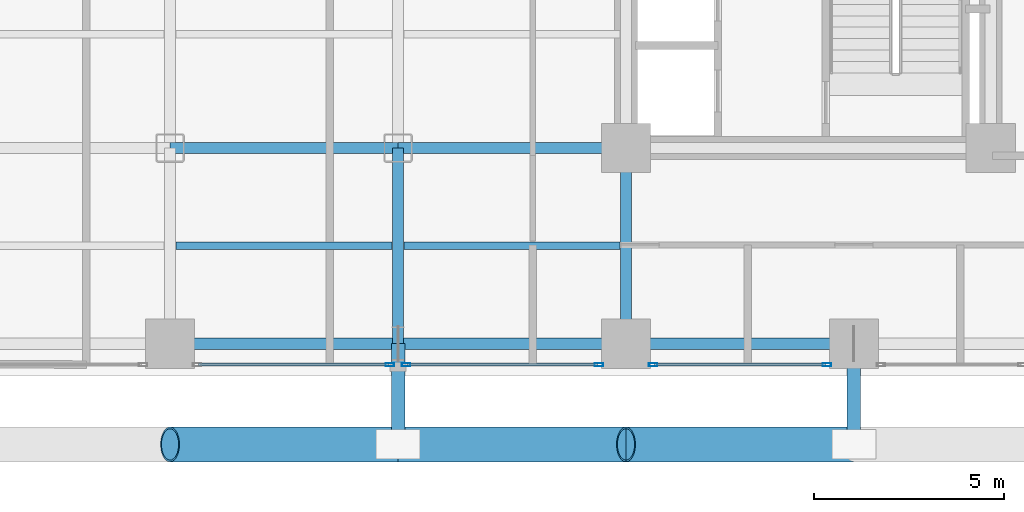
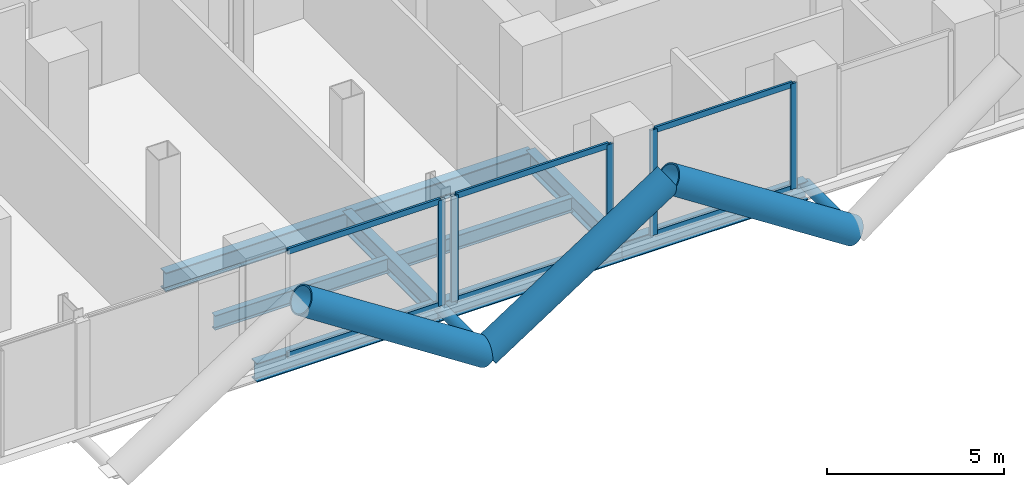
# One storey, part 3 of 27: 16 members, 9 beams, 3 elements without a shape of their own.
"""IFC4 building model written with IfcOpenShell, lengths in metres."""

from ifc_helpers import new_model, si_unit, direction, frame, origin, origin_2d, place, context, subcontext, project, spatial, hollow_rectangle, hollow_circle, i_section, extrude, material, layer, layer_set, material_profile, profile_set, type_object, element, aggregate, save


model = new_model("IFC4")

# Units and contexts
model_context = context("Model", 3, precision=1e-05, world=origin(), true_north=direction((0.0, 1.0)))
body_context = subcontext(model_context, "Body", "Model", "MODEL_VIEW")
ifc_project = project(units=[si_unit("LENGTHUNIT", "METRE"), si_unit("AREAUNIT", "SQUARE_METRE"), si_unit("VOLUMEUNIT", "CUBIC_METRE"), si_unit("PLANEANGLEUNIT", "RADIAN"), si_unit("MASSUNIT", "GRAM", prefix="KILO"), si_unit("THERMODYNAMICTEMPERATUREUNIT", "KELVIN"), si_unit("POWERUNIT", "WATT")], contexts=[model_context])

# Site, building, storey
site_placement = place(None, origin())
site = spatial("IfcSite", under=ifc_project, at=site_placement, CompositionType="ELEMENT")
building_placement = place(site_placement, origin())
building = spatial("IfcBuilding", under=site, at=building_placement, Name="Svarakhadi Broadcast Tower", CompositionType="ELEMENT")
storey_placement = place(building_placement, frame((0.0, 0.0, 71.39990234375)))
storey = spatial("IfcBuildingStorey", under=building, at=storey_placement, Name="L16", CompositionType="ELEMENT", Elevation=71.39990234375)

# Beams
ifc_material_1 = material(Name="Steel S355J2 (IS 2062 E350C)", Category="steel")
ifc_material_profile_1 = material_profile(ifc_material_1, i_section(OverallWidth=0.199951171875, OverallDepth=0.5, WebThickness=0.01025390625, FlangeThickness=0.01611328125, FilletRadius=0.02099609375, at=origin_2d()), Name="NPB 500x200x91")
ifc_profile_set_1 = profile_set([ifc_material_profile_1], Name="Steel S355J2 (IS 2062 E350C)")
beam_type_1 = type_object("IfcBeamType", Name="Beam_NPB500", PredefinedType="BEAM", material=ifc_profile_set_1)
for number, where, z_axis, x_axis, name in (
    (1, (12.159912109375, 3.425048828125, -0.5), (1.0, 0.0, 0.0), (0.0, 1.0, 0.0), "L16 Secondary Composite Beam SB013"),
    (2, (18.159912109375, 3.425048828125, -0.5), (1.0, 0.0, 0.0), (0.0, 1.0, 0.0), "L16 Secondary Composite Beam SB019"),
):
    element("IfcBeam", number, at=place(storey_placement, frame(where, z_axis=z_axis, x_axis=x_axis)), inside=storey, type_object=beam_type_1, Name=name, PredefinedType="BEAM", context=body_context, shape_type="SweptSolid", body=[
        extrude(i_section(OverallWidth=0.199951171875, OverallDepth=0.5, WebThickness=0.01025390625, FlangeThickness=0.01611328125, FilletRadius=0.02099609375, at=origin_2d()), origin(), (0.0, 0.0, 1.0), 5.68017578125),
    ])

# Curtain wall, members
ifc_material_2 = material(Name="Anodised Bronze Aluminium AA 6063-T6", Category="aluminium")
ifc_layer = layer(ifc_material_2, 0.219970703125)
ifc_layer_set = layer_set([ifc_layer], Name="Anodised Bronze Aluminium AA 6063-T6")
curtain_wall_type = type_object("IfcCurtainWallType", Name="CW_Sys_02", PredefinedType="NOTDEFINED", material=ifc_layer_set)
curtain_wall_1_placement = place(storey_placement, origin())
curtain_wall_1 = element("IfcCurtainWall", 3, at=curtain_wall_1_placement, inside=storey, type_object=curtain_wall_type, Name="L16 South Curtain Wall 17 Bay 3", PredefinedType="NOTDEFINED")
ifc_material_profile_2 = material_profile(ifc_material_2, hollow_rectangle(XDim=0.0849609375, YDim=0.219970703125, WallThickness=0.006103515625, at=origin_2d()), Name="ALU MULLION 220x85x6")
ifc_profile_set_2 = profile_set([ifc_material_profile_2], Name="Anodised Bronze Aluminium AA 6063-T6")
member_type_1 = type_object("IfcMemberType", Name="CW_Sys_02_Mul", PredefinedType="MULLION", material=ifc_profile_set_2)
member_1_placement = place(storey_placement, frame((29.28759765625, 0.300048828125, 0.0), z_axis=(0.0, 0.0, 1.0), x_axis=(0.0, -1.0, 0.0)))
member_1 = element("IfcMember", 4, at=member_1_placement, type_object=member_type_1, Name="CW-02 mullion 1", PredefinedType="MULLION", context=body_context, shape_type="SweptSolid", body=[
    extrude(hollow_rectangle(XDim=0.0849609375, YDim=0.219970703125, WallThickness=0.006103515625, at=origin_2d()), origin(), (0.0, 0.0, 1.0), 3.650146484375),
])
member_2_placement = place(storey_placement, frame((24.71240234375, 0.300048828125, 0.0), z_axis=(0.0, 0.0, 1.0), x_axis=(0.0, -1.0, 0.0)))
member_2 = element("IfcMember", 5, at=member_2_placement, type_object=member_type_1, Name="CW-02 mullion 2", PredefinedType="MULLION", context=body_context, shape_type="SweptSolid", body=[
    extrude(hollow_rectangle(XDim=0.0849609375, YDim=0.219970703125, WallThickness=0.006103515625, at=origin_2d()), origin(), (0.0, 0.0, 1.0), 3.650146484375),
])

curtain_wall_2_placement = place(storey_placement, origin())
curtain_wall_2 = element("IfcCurtainWall", 6, at=curtain_wall_2_placement, inside=storey, type_object=curtain_wall_type, Name="L16 South Curtain Wall 17 Bay 4", PredefinedType="NOTDEFINED")
member_3_placement = place(storey_placement, frame((23.28759765625, 0.300048828125, 0.0), z_axis=(0.0, 0.0, 1.0), x_axis=(0.0, -1.0, 0.0)))
member_3 = element("IfcMember", 7, at=member_3_placement, type_object=member_type_1, Name="CW-02 mullion 1", PredefinedType="MULLION", context=body_context, shape_type="SweptSolid", body=[
    extrude(hollow_rectangle(XDim=0.0849609375, YDim=0.219970703125, WallThickness=0.006103515625, at=origin_2d()), origin(), (0.0, 0.0, 1.0), 3.650146484375),
])
member_4_placement = place(storey_placement, frame((18.21240234375, 0.300048828125, 0.0), z_axis=(0.0, 0.0, 1.0), x_axis=(0.0, -1.0, 0.0)))
member_4 = element("IfcMember", 8, at=member_4_placement, type_object=member_type_1, Name="CW-02 mullion 2", PredefinedType="MULLION", context=body_context, shape_type="SweptSolid", body=[
    extrude(hollow_rectangle(XDim=0.0849609375, YDim=0.219970703125, WallThickness=0.006103515625, at=origin_2d()), origin(), (0.0, 0.0, 1.0), 3.650146484375),
])

# Curtain wall, member
curtain_wall_3_placement = place(storey_placement, origin())
curtain_wall_3 = element("IfcCurtainWall", 9, at=curtain_wall_3_placement, inside=storey, type_object=curtain_wall_type, Name="L16 South Curtain Wall 17 Bay 5", PredefinedType="NOTDEFINED")
member_5_placement = place(storey_placement, frame((17.78759765625, 0.300048828125, 0.0), z_axis=(0.0, 0.0, 1.0), x_axis=(0.0, -1.0, 0.0)))
member_5 = element("IfcMember", 10, at=member_5_placement, type_object=member_type_1, Name="CW-02 mullion 1", PredefinedType="MULLION", context=body_context, shape_type="SweptSolid", body=[
    extrude(hollow_rectangle(XDim=0.0849609375, YDim=0.219970703125, WallThickness=0.006103515625, at=origin_2d()), origin(), (0.0, 0.0, 1.0), 3.650146484375),
])

# Member
ifc_material_profile_3 = material_profile(ifc_material_2, hollow_rectangle(XDim=0.074951171875, YDim=0.199951171875, WallThickness=0.0048828125, at=origin_2d()), Name="ALU TRANSOM 200x75x5")
ifc_profile_set_3 = profile_set([ifc_material_profile_3], Name="Anodised Bronze Aluminium AA 6063-T6")
member_type_2 = type_object("IfcMemberType", Name="CW_Sys_02_Trn", PredefinedType="USERDEFINED", material=ifc_profile_set_3)
member_6_placement = place(storey_placement, frame((29.2451171875, 0.300048828125, 0.03759765625), z_axis=(-1.0, 0.0, 0.0), x_axis=(0.0, -1.0, 0.0)))
member_6 = element("IfcMember", 11, at=member_6_placement, type_object=member_type_2, Name="CW-02 transom 1.1", ObjectType="TRANSOM", PredefinedType="USERDEFINED", context=body_context, shape_type="SweptSolid", body=[
    extrude(hollow_rectangle(XDim=0.074951171875, YDim=0.199951171875, WallThickness=0.0048828125, at=origin_2d()), origin(), (0.0, 0.0, 1.0), 4.490234375),
])

member_7_placement = place(storey_placement, frame((29.2451171875, 0.300048828125, 3.612548828125), z_axis=(-1.0, 0.0, 0.0), x_axis=(0.0, -1.0, 0.0)))
member_7 = element("IfcMember", 12, at=member_7_placement, type_object=member_type_2, Name="CW-02 transom 1.2", ObjectType="TRANSOM", PredefinedType="USERDEFINED", context=body_context, shape_type="SweptSolid", body=[
    extrude(hollow_rectangle(XDim=0.074951171875, YDim=0.199951171875, WallThickness=0.0048828125, at=origin_2d()), origin(), (0.0, 0.0, 1.0), 4.490234375),
])

aggregate(curtain_wall_1, [member_1, member_2, member_6, member_7])

member_8_placement = place(storey_placement, frame((23.2451171875, 0.300048828125, 0.03759765625), z_axis=(-1.0, 0.0, 0.0), x_axis=(0.0, -1.0, 0.0)))
member_8 = element("IfcMember", 13, at=member_8_placement, type_object=member_type_2, Name="CW-02 transom 1.1", ObjectType="TRANSOM", PredefinedType="USERDEFINED", context=body_context, shape_type="SweptSolid", body=[
    extrude(hollow_rectangle(XDim=0.074951171875, YDim=0.199951171875, WallThickness=0.0048828125, at=origin_2d()), origin(), (0.0, 0.0, 1.0), 4.990234375),
])

member_9_placement = place(storey_placement, frame((23.2451171875, 0.300048828125, 3.612548828125), z_axis=(-1.0, 0.0, 0.0), x_axis=(0.0, -1.0, 0.0)))
member_9 = element("IfcMember", 14, at=member_9_placement, type_object=member_type_2, Name="CW-02 transom 1.2", ObjectType="TRANSOM", PredefinedType="USERDEFINED", context=body_context, shape_type="SweptSolid", body=[
    extrude(hollow_rectangle(XDim=0.074951171875, YDim=0.199951171875, WallThickness=0.0048828125, at=origin_2d()), origin(), (0.0, 0.0, 1.0), 4.990234375),
])

aggregate(curtain_wall_2, [member_3, member_4, member_8, member_9])

member_10_placement = place(storey_placement, frame((17.7451171875, 0.300048828125, 0.03759765625), z_axis=(-1.0, 0.0, 0.0), x_axis=(0.0, -1.0, 0.0)))
member_10 = element("IfcMember", 15, at=member_10_placement, type_object=member_type_2, Name="CW-02 transom 1.1", ObjectType="TRANSOM", PredefinedType="USERDEFINED", context=body_context, shape_type="SweptSolid", body=[
    extrude(hollow_rectangle(XDim=0.074951171875, YDim=0.199951171875, WallThickness=0.0048828125, at=origin_2d()), origin(), (0.0, 0.0, 1.0), 4.990234375),
])

member_11_placement = place(storey_placement, frame((17.7451171875, 0.300048828125, 3.612548828125), z_axis=(-1.0, 0.0, 0.0), x_axis=(0.0, -1.0, 0.0)))
member_11 = element("IfcMember", 16, at=member_11_placement, type_object=member_type_2, Name="CW-02 transom 1.2", ObjectType="TRANSOM", PredefinedType="USERDEFINED", context=body_context, shape_type="SweptSolid", body=[
    extrude(hollow_rectangle(XDim=0.074951171875, YDim=0.199951171875, WallThickness=0.0048828125, at=origin_2d()), origin(), (0.0, 0.0, 1.0), 4.990234375),
])

aggregate(curtain_wall_3, [member_5, member_10, member_11])

# Members
ifc_material_3 = material(Name="Steel S460ML (IS 2062 E450BR)", Category="steel")
ifc_material_profile_4 = material_profile(ifc_material_3, hollow_circle(Radius=0.45703125, WallThickness=0.044921875, at=origin_2d()), Name="CHS 914x45")
ifc_profile_set_4 = profile_set([ifc_material_profile_4], Name="Steel S460ML (IS 2062 E450BR)")
member_type_3 = type_object("IfcMemberType", Name="Exo_Brace_CHS914", PredefinedType="BRACE", material=ifc_profile_set_4)
for number, where, z_axis, x_axis, name in (
    (17, (18.0, -1.800048828125, -0.427734375), (-0.838434262763, 0.0, 0.545002740383), (0.0, -1.0, 0.0), "L16 Exposed Bronze Exoskeleton Diagonal S02"),
    (18, (18.0, -1.800048828125, -0.427734375), (0.838434262763, 0.0, 0.545002740383), (0.0, 1.0, 0.0), "L16 Exposed Bronze Exoskeleton Diagonal S03"),
    (19, (30.0, -1.800048828125, -0.427734375), (-0.838434262763, 0.0, 0.545002740383), (0.0, -1.0, 0.0), "L16 Exposed Bronze Exoskeleton Diagonal S04"),
):
    element("IfcMember", number, at=place(storey_placement, frame(where, z_axis=z_axis, x_axis=x_axis)), inside=storey, type_object=member_type_3, Name=name, PredefinedType="BRACE", context=body_context, shape_type="SweptSolid", body=[
        extrude(hollow_circle(Radius=0.45703125, WallThickness=0.044921875, at=origin_2d()), origin(), (0.0, 0.0, 1.0), 7.15625),
    ])
ifc_material_profile_5 = material_profile(ifc_material_3, hollow_circle(Radius=0.177734375, WallThickness=0.02001953125, at=origin_2d()), Name="CHS 355.6x20")
ifc_profile_set_5 = profile_set([ifc_material_profile_5], Name="Steel S460ML (IS 2062 E450BR)")
member_type_4 = type_object("IfcMemberType", Name="Exo_Radial_Strut_Z1", PredefinedType="STRUT", material=ifc_profile_set_5)
for number, where, z_axis, x_axis, name in (
    (20, (18.0, -1.800048828125, -0.427734375), (0.0, 1.0, 0.0), (-1.0, 0.0, 0.0), "L16 Exoskeleton Radial Tie Strut S02"),
    (21, (30.0, -1.800048828125, -0.427734375), (0.0, 1.0, 0.0), (-1.0, 0.0, 0.0), "L16 Exoskeleton Radial Tie Strut S03"),
):
    element("IfcMember", number, at=place(storey_placement, frame(where, z_axis=z_axis, x_axis=x_axis)), inside=storey, type_object=member_type_4, Name=name, PredefinedType="STRUT", context=body_context, shape_type="SweptSolid", body=[
        extrude(hollow_circle(Radius=0.177734375, WallThickness=0.02001953125, at=origin_2d()), origin(), (0.0, 0.0, 1.0), 2.650146484375),
    ])

# Beams
ifc_material_profile_6 = material_profile(ifc_material_1, i_section(OverallWidth=0.300048828125, OverallDepth=0.64990234375, WebThickness=0.01611328125, FlangeThickness=0.031005859375, FilletRadius=0.027099609375, at=origin_2d()), Name="WPB 650x300x225")
ifc_profile_set_6 = profile_set([ifc_material_profile_6], Name="Steel S355J2 (IS 2062 E350C)")
beam_type_2 = type_object("IfcBeamType", Name="Girder_WPB650", PredefinedType="USERDEFINED", material=ifc_profile_set_6)
for number, where, z_axis, x_axis, name in (
    (22, (12.0, 0.85009765625, -0.574951171875), (1.0, 0.0, 0.0), (0.0, 1.0, 0.0), "L16 Primary E-W Girder G005"),
    (23, (18.0, 0.85009765625, -0.574951171875), (1.0, 0.0, 0.0), (0.0, 1.0, 0.0), "L16 Primary E-W Girder G006"),
    (24, (24.0, 0.85009765625, -0.574951171875), (1.0, 0.0, 0.0), (0.0, 1.0, 0.0), "L16 Primary E-W Girder G007"),
    (25, (12.0, 6.0, -0.574951171875), (1.0, 0.0, 0.0), (0.0, 1.0, 0.0), "L16 Primary E-W Girder G013"),
    (26, (18.0, 6.0, -0.574951171875), (1.0, 0.0, 0.0), (0.0, 1.0, 0.0), "L16 Primary E-W Girder G014"),
):
    element("IfcBeam", number, at=place(storey_placement, frame(where, z_axis=z_axis, x_axis=x_axis)), inside=storey, type_object=beam_type_2, Name=name, ObjectType="GIRDER", PredefinedType="USERDEFINED", context=body_context, shape_type="SweptSolid", body=[
        extrude(i_section(OverallWidth=0.300048828125, OverallDepth=0.64990234375, WebThickness=0.01611328125, FlangeThickness=0.031005859375, FilletRadius=0.027099609375, at=origin_2d()), origin(), (0.0, 0.0, 1.0), 6.0),
    ])
for number, where, z_axis, x_axis, name in (
    (27, (18.0, 0.85009765625, -0.574951171875), (0.0, 1.0, 0.0), (-1.0, 0.0, 0.0), "L16 Primary N-S Girder G064"),
    (28, (24.0, 0.85009765625, -0.574951171875), (0.0, 1.0, 0.0), (-1.0, 0.0, 0.0), "L16 Primary N-S Girder G071"),
):
    element("IfcBeam", number, at=place(storey_placement, frame(where, z_axis=z_axis, x_axis=x_axis)), inside=storey, type_object=beam_type_2, Name=name, ObjectType="GIRDER", PredefinedType="USERDEFINED", context=body_context, shape_type="SweptSolid", body=[
        extrude(i_section(OverallWidth=0.300048828125, OverallDepth=0.64990234375, WebThickness=0.01611328125, FlangeThickness=0.031005859375, FilletRadius=0.027099609375, at=origin_2d()), origin(), (0.0, 0.0, 1.0), 5.14990234375),
    ])

save(model, "model.ifc")
